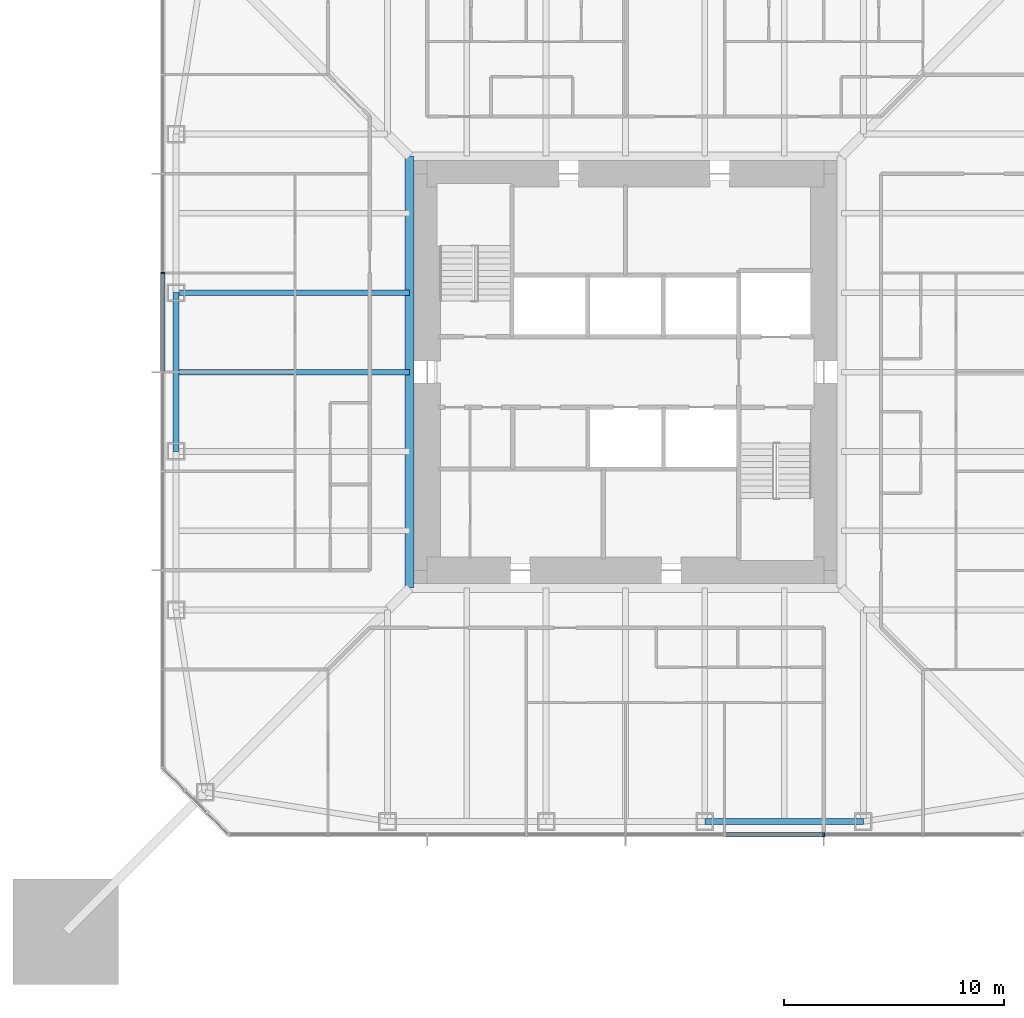
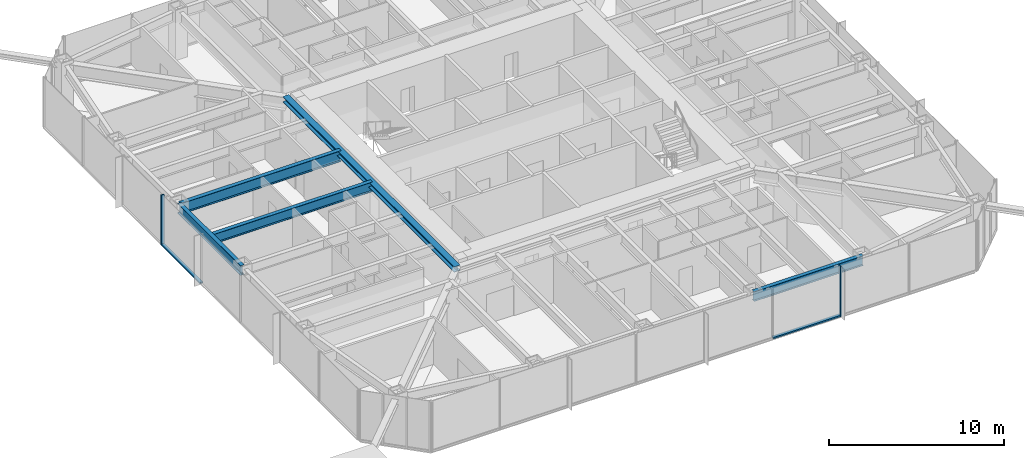
# One storey, part 4 of 25: 5 beams, 4 members, 2 elements without a shape of their own.
"""IFC4 building model written with IfcOpenShell, lengths in metres."""

from ifc_helpers import new_model, si_unit, direction, frame, origin, origin_2d, place, context, subcontext, project, spatial, rectangle, i_section, extrude, material, material_profile, profile_set, type_object, element, aggregate, save


model = new_model("IFC4")

# Units and contexts
model_context = context("Model", 3, precision=1e-05, world=origin(), true_north=direction((0.0, 1.0)))
body_context = subcontext(model_context, "Body", "Model", "MODEL_VIEW")
ifc_project = project(units=[si_unit("LENGTHUNIT", "METRE"), si_unit("AREAUNIT", "SQUARE_METRE"), si_unit("VOLUMEUNIT", "CUBIC_METRE"), si_unit("PLANEANGLEUNIT", "RADIAN"), si_unit("MASSUNIT", "GRAM", prefix="KILO")], contexts=[model_context])

# Site, building, storey
site_placement = place(None, origin())
site = spatial("IfcSite", under=ifc_project, at=site_placement, CompositionType="ELEMENT")
building_placement = place(site_placement, origin())
building = spatial("IfcBuilding", under=site, at=building_placement, Name="Iwan Alto Co-Living Towers", CompositionType="ELEMENT")
storey_placement = place(building_placement, frame((0.0, 0.0, 105.0)))
storey = spatial("IfcBuildingStorey", under=building, at=storey_placement, Name="L28", CompositionType="ELEMENT", Elevation=105.0)

# Curtain wall, member
ifc_material_1 = material(Name="Bronze aluminium unitised frame", Category="aluminium")
curtain_wall_type = type_object("IfcCurtainWallType", Name="CURTAIN WALL CW-A", PredefinedType="NOTDEFINED", material=ifc_material_1)
curtain_wall_1_placement = place(storey_placement, origin())
curtain_wall_1 = element("IfcCurtainWall", 1, at=curtain_wall_1_placement, inside=storey, type_object=curtain_wall_type, Name="T1 curtain wall S L28", PredefinedType="NOTDEFINED")
ifc_material_2 = material(Name="Aluminium 6063-T6 bronze anodised", Category="aluminium")
ifc_material_profile_1 = material_profile(ifc_material_2, rectangle(XDim=0.199951171875, YDim=0.080078125, at=origin_2d()), Name="AL 80X200")
ifc_profile_set_1 = profile_set([ifc_material_profile_1], Name="Aluminium 6063-T6 bronze anodised")
member_type_1 = type_object("IfcMemberType", Name="CW-A MULLION 80X200", PredefinedType="MULLION", material=ifc_profile_set_1)
member_1_placement = place(storey_placement, frame((9.0, -21.0, 0.0), z_axis=(0.0, 0.0, 1.0), x_axis=(0.0, 1.0, 0.0)))
member_1 = element("IfcMember", 2, at=member_1_placement, type_object=member_type_1, Name="CW-A mullion 7", PredefinedType="MULLION", context=body_context, shape_type="SweptSolid", body=[
    extrude(rectangle(XDim=0.199951171875, YDim=0.080078125, at=origin_2d()), origin(), (0.0, 0.0, 1.0), 3.5),
])

curtain_wall_2_placement = place(storey_placement, origin())
curtain_wall_2 = element("IfcCurtainWall", 3, at=curtain_wall_2_placement, inside=storey, type_object=curtain_wall_type, Name="T1 curtain wall W L28", PredefinedType="NOTDEFINED")
member_2_placement = place(storey_placement, frame((-21.0, 4.5, 0.0), z_axis=(0.0, 0.0, 1.0), x_axis=(1.0, 0.0, 0.0)))
member_2 = element("IfcMember", 4, at=member_2_placement, type_object=member_type_1, Name="CW-A mullion 4", PredefinedType="MULLION", context=body_context, shape_type="SweptSolid", body=[
    extrude(rectangle(XDim=0.199951171875, YDim=0.080078125, at=origin_2d()), origin(), (0.0, 0.0, 1.0), 3.5),
])

# Member
ifc_material_3 = material(Name="Aluminium 6063-T6 bronze anodised", Category="aluminium")
ifc_material_profile_2 = material_profile(ifc_material_3, rectangle(XDim=0.199951171875, YDim=0.10009765625, at=origin_2d()), Name="AL 200X100")
ifc_profile_set_2 = profile_set([ifc_material_profile_2], Name="Aluminium 6063-T6 bronze anodised")
member_type_2 = type_object("IfcMemberType", Name="CW-A TRANSOM 200X100", PredefinedType="USERDEFINED", material=ifc_profile_set_2)
member_3_placement = place(storey_placement, frame((4.5400390625, -21.0, 0.050048828125), z_axis=(1.0, 0.0, 0.0), x_axis=(0.0, 1.0, 0.0)))
member_3 = element("IfcMember", 5, at=member_3_placement, type_object=member_type_2, Name="CW-A transom 6.1", ObjectType="TRANSOM", PredefinedType="USERDEFINED", context=body_context, shape_type="SweptSolid", body=[
    extrude(rectangle(XDim=0.199951171875, YDim=0.10009765625, at=origin_2d()), origin(), (0.0, 0.0, 1.0), 4.419921875),
])

aggregate(curtain_wall_1, [member_1, member_3])

member_4_placement = place(storey_placement, frame((-21.0, 4.4599609375, 0.050048828125), z_axis=(0.0, -1.0, 0.0), x_axis=(1.0, 0.0, 0.0)))
member_4 = element("IfcMember", 6, at=member_4_placement, type_object=member_type_2, Name="CW-A transom 4.1", ObjectType="TRANSOM", PredefinedType="USERDEFINED", context=body_context, shape_type="SweptSolid", body=[
    extrude(rectangle(XDim=0.199951171875, YDim=0.10009765625, at=origin_2d()), origin(), (0.0, 0.0, 1.0), 4.419921875),
])

aggregate(curtain_wall_2, [member_2, member_4])

# Beams
ifc_material_4 = material(Name="Steel ASTM A992 Gr 50", Category="steel")
ifc_material_profile_3 = material_profile(ifc_material_4, i_section(OverallWidth=0.398681640625, OverallDepth=0.385986328125, WebThickness=0.02099609375, FlangeThickness=0.033203125, at=origin_2d()), Name="W14X176")
ifc_profile_set_3 = profile_set([ifc_material_profile_3], Name="Steel ASTM A992 Gr 50")
beam_type_1 = type_object("IfcBeamType", Name="T1 CORE LEDGER BEAM W14X176", PredefinedType="BEAM", material=ifc_profile_set_3)
beam_1_placement = place(storey_placement, frame((-9.79931640625, 9.79931640625, 3.076904296875), z_axis=(0.0, -1.0, 0.0), x_axis=(1.0, 0.0, 0.0)))
element("IfcBeam", 7, at=beam_1_placement, inside=storey, type_object=beam_type_1, Name="T1 core ledger beam W L29", PredefinedType="BEAM", context=body_context, shape_type="SweptSolid", body=[
    extrude(i_section(OverallWidth=0.398681640625, OverallDepth=0.385986328125, WebThickness=0.02099609375, FlangeThickness=0.033203125, at=origin_2d()), origin(), (0.0, 0.0, 1.0), 19.5986328125),
])
ifc_material_5 = material(Name="Steel ASTM A992 Gr 50", Category="steel")
ifc_material_profile_4 = material_profile(ifc_material_5, i_section(OverallWidth=0.25390625, OverallDepth=0.683349609375, WebThickness=0.012451171875, FlangeThickness=0.018798828125, at=origin_2d()), Name="W27X94")
ifc_profile_set_4 = profile_set([ifc_material_profile_4], Name="Steel ASTM A992 Gr 50")
beam_type_2 = type_object("IfcBeamType", Name="T1 EDGE BEAM W27X94", PredefinedType="BEAM", material=ifc_profile_set_4)
beam_2_placement = place(storey_placement, frame((3.60009765625, -20.39990234375, 2.928466796875), z_axis=(1.0, 0.0, 0.0), x_axis=(0.0, 1.0, 0.0)))
element("IfcBeam", 8, at=beam_2_placement, inside=storey, type_object=beam_type_2, Name="T1 edge beam S3 L29", PredefinedType="BEAM", context=body_context, shape_type="SweptSolid", body=[
    extrude(i_section(OverallWidth=0.25390625, OverallDepth=0.683349609375, WebThickness=0.012451171875, FlangeThickness=0.018798828125, at=origin_2d()), origin(), (0.0, 0.0, 1.0), 7.199951171875),
])
beam_3_placement = place(storey_placement, frame((-20.39990234375, 3.60009765625, 2.928466796875), z_axis=(0.0, -1.0, 0.0), x_axis=(1.0, 0.0, 0.0)))
element("IfcBeam", 9, at=beam_3_placement, inside=storey, type_object=beam_type_2, Name="T1 edge beam W2 L29", PredefinedType="BEAM", context=body_context, shape_type="SweptSolid", body=[
    extrude(i_section(OverallWidth=0.25390625, OverallDepth=0.683349609375, WebThickness=0.012451171875, FlangeThickness=0.018798828125, at=origin_2d()), origin(), (0.0, 0.0, 1.0), 7.2001953125),
])
ifc_material_6 = material(Name="Steel ASTM A992 Gr 50", Category="steel")
ifc_material_profile_5 = material_profile(ifc_material_6, i_section(OverallWidth=0.2666015625, OverallDepth=0.761962890625, WebThickness=0.014404296875, FlangeThickness=0.021484375, at=origin_2d()), Name="W30X116")
ifc_profile_set_5 = profile_set([ifc_material_profile_5], Name="Steel ASTM A992 Gr 50")
beam_type_3 = type_object("IfcBeamType", Name="T1 RADIAL BEAM W30X116", PredefinedType="BEAM", material=ifc_profile_set_5)
beam_4_placement = place(storey_placement, frame((-20.39990234375, 3.60009765625, 2.888916015625), z_axis=(1.0, 0.0, 0.0), x_axis=(0.0, 1.0, 0.0)))
element("IfcBeam", 10, at=beam_4_placement, inside=storey, type_object=beam_type_3, Name="T1 radial beam W2 L29", PredefinedType="BEAM", context=body_context, shape_type="SweptSolid", body=[
    extrude(i_section(OverallWidth=0.2666015625, OverallDepth=0.761962890625, WebThickness=0.014404296875, FlangeThickness=0.021484375, at=origin_2d()), origin(), (0.0, 0.0, 1.0), 10.6005859375),
])
ifc_material_7 = material(Name="Steel ASTM A992 Gr 50", Category="steel")
ifc_material_profile_6 = material_profile(ifc_material_7, i_section(OverallWidth=0.25390625, OverallDepth=0.683349609375, WebThickness=0.012451171875, FlangeThickness=0.018798828125, at=origin_2d()), Name="W27X94")
ifc_profile_set_6 = profile_set([ifc_material_profile_6], Name="Steel ASTM A992 Gr 50")
beam_type_4 = type_object("IfcBeamType", Name="T1 SECONDARY BEAM W27X94", PredefinedType="JOIST", material=ifc_profile_set_6)
beam_5_placement = place(storey_placement, frame((-20.39990234375, 0.0, 2.928466796875), z_axis=(1.0, 0.0, 0.0), x_axis=(0.0, 1.0, 0.0)))
element("IfcBeam", 11, at=beam_5_placement, inside=storey, type_object=beam_type_4, Name="T1 secondary beam W2 L29", PredefinedType="JOIST", context=body_context, shape_type="SweptSolid", body=[
    extrude(i_section(OverallWidth=0.25390625, OverallDepth=0.683349609375, WebThickness=0.012451171875, FlangeThickness=0.018798828125, at=origin_2d()), origin(), (0.0, 0.0, 1.0), 10.6005859375),
])

save(model, "model.ifc")
